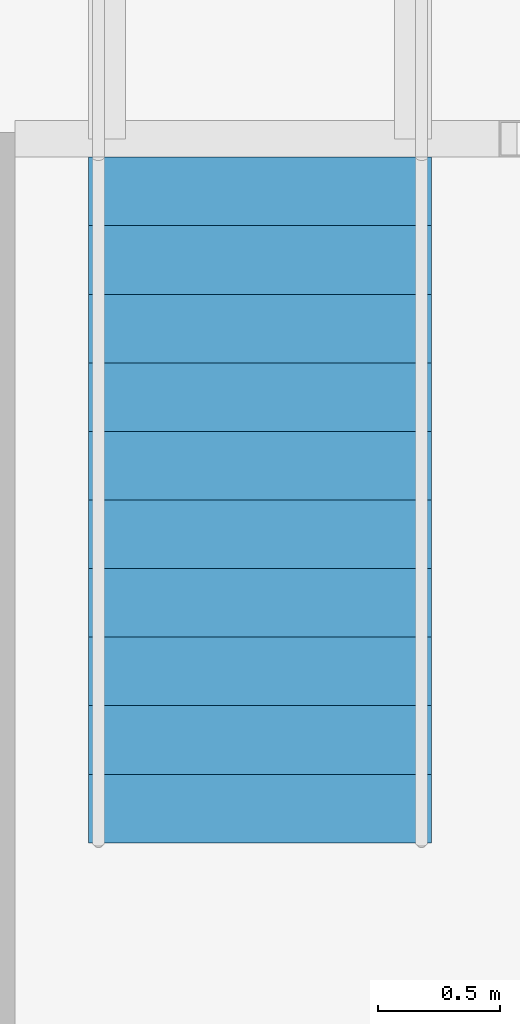
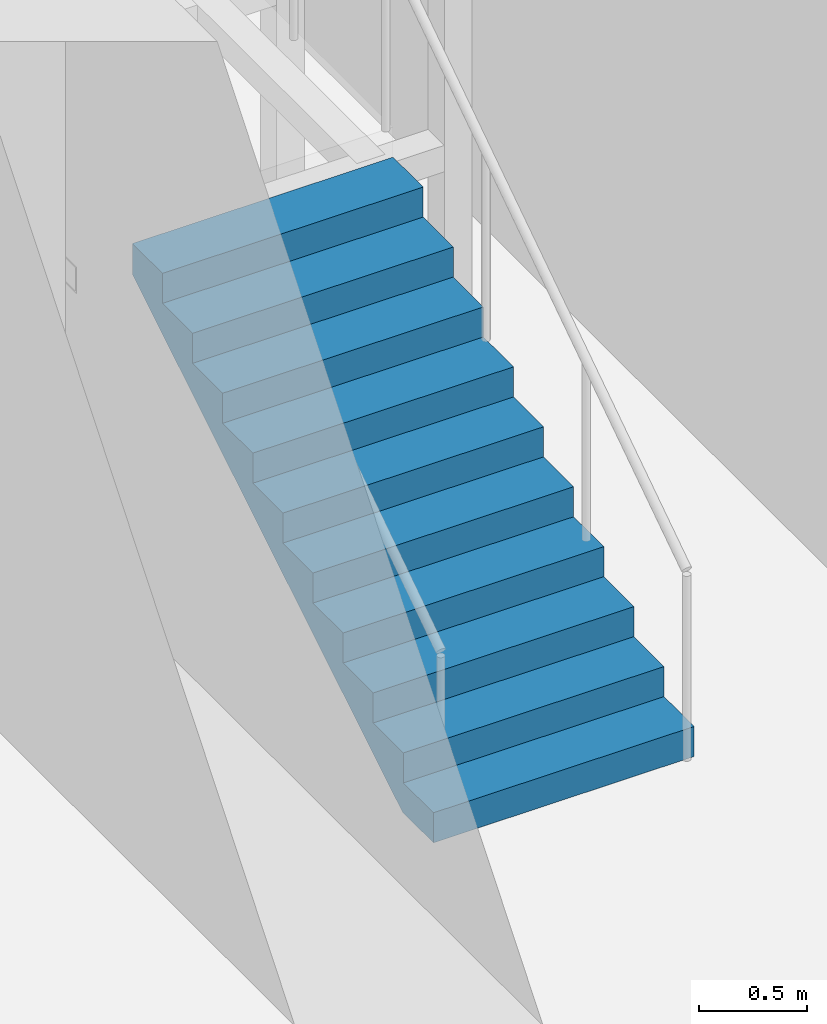
# One storey, part 25 of 29: 1 stair flight, 1 element without a shape of its own.
"""IFC4 building model written with IfcOpenShell, lengths in metres."""

from ifc_helpers import new_model, si_unit, direction, frame, origin, place, context, subcontext, project, spatial, triangles, material, type_object, element, aggregate, save


model = new_model("IFC4")

# Units and contexts
model_context = context("Model", 3, precision=1e-05, world=origin(), true_north=direction((0.0, 1.0)))
body_context = subcontext(model_context, "Body", "Model", "MODEL_VIEW")
ifc_project = project(units=[si_unit("LENGTHUNIT", "METRE"), si_unit("AREAUNIT", "SQUARE_METRE"), si_unit("VOLUMEUNIT", "CUBIC_METRE"), si_unit("PLANEANGLEUNIT", "RADIAN"), si_unit("MASSUNIT", "GRAM", prefix="KILO")], contexts=[model_context])

# Site, building, storey
site_placement = place(None, origin())
site = spatial("IfcSite", under=ifc_project, at=site_placement, CompositionType="ELEMENT")
building_placement = place(site_placement, origin())
building = spatial("IfcBuilding", under=site, at=building_placement, Name="Orbita Commons", CompositionType="ELEMENT")
storey_placement = place(building_placement, frame((0.0, 0.0, 163.60009765625)))
storey = spatial("IfcBuildingStorey", under=building, at=storey_placement, Name="L40", CompositionType="ELEMENT", Elevation=163.60009765625)

# Stair, stair flight
ifc_material_1 = material(Name="Steel ASTM A992 stringers, precast concrete C40/50 terrazzo treads", Category="concrete")
stair_type = type_object("IfcStairType", Name="Feature stair 22 risers 170 x 280 x 1400", PredefinedType="STRAIGHT_RUN_STAIR", material=ifc_material_1)
stair_placement = place(storey_placement, origin())
stair = element("IfcStair", 1, at=stair_placement, inside=storey, type_object=stair_type, Name="Neighbourhood stair L40 to L41", PredefinedType="STRAIGHT_RUN_STAIR")
ifc_material_2 = material(Name="Steel ASTM A992 stringers, precast concrete C40/50 terrazzo treads", Category="concrete")
stair_flight_type = type_object("IfcStairFlightType", Name="Feature stair flight 11 risers 170 x 1400", PredefinedType="STRAIGHT", material=ifc_material_2)
stair_flight_placement = place(storey_placement, frame((13.5, 37.800048828125, 0.0), z_axis=(0.0, 0.0, 1.0), x_axis=(0.0, 1.0, 0.0)))
stair_flight = element("IfcStairFlight", 2, at=stair_flight_placement, type_object=stair_flight_type, Name="FS flight 1", NumberOfRisers=11, NumberOfTreads=10, PredefinedType="STRAIGHT", RiserHeight=0.170454545, TreadLength=0.28, context=body_context, shape_type="Tessellation", body=[
    triangles([(0.0, 0.699951, 0.0), (0.0, 0.699951, 0.021307), (0.0, 0.583293, 0.021307), (0.0, 0.583293, 0.0), (0.0, 0.466634, 0.021307), (0.0, 0.466634, 0.0), (0.0, 0.349976, 0.021307), (0.0, 0.349976, 0.0), (0.0, 0.233317, 0.021307), (0.0, 0.233317, 0.0), (0.0, 0.116659, 0.021307), (0.0, 0.116659, 0.0), (0.0, 0.0, 0.021307), (0.0, 0.0, 0.0), (0.0, -0.116659, 0.021307), (0.0, -0.116659, 0.0), (0.0, -0.233317, 0.021307), (0.0, -0.233317, 0.0), (0.0, -0.349976, 0.021307), (0.0, -0.349976, 0.0), (0.0, -0.466634, 0.021307), (0.0, -0.466634, 0.0), (0.0, -0.583293, 0.021307), (0.0, -0.583293, 0.0), (0.0, -0.699951, 0.021307), (0.0, -0.699951, 0.0), (0.0, 0.699951, 0.042614), (0.0, 0.583293, 0.042614), (0.0, 0.466634, 0.042614), (0.0, 0.349976, 0.042614), (0.0, 0.233317, 0.042614), (0.0, 0.116659, 0.042614), (0.0, 0.0, 0.042614), (0.0, -0.116659, 0.042614), (0.0, -0.233317, 0.042614), (0.0, -0.349976, 0.042614), (0.0, -0.466634, 0.042614), (0.0, -0.583293, 0.042614), (0.0, -0.699951, 0.042614), (0.0, 0.699951, 0.06392), (0.0, 0.583293, 0.06392), (0.0, 0.466634, 0.06392), (0.0, 0.349976, 0.06392), (0.0, 0.233317, 0.06392), (0.0, 0.116659, 0.06392), (0.0, 0.0, 0.06392), (0.0, -0.116659, 0.06392), (0.0, -0.233317, 0.06392), (0.0, -0.349976, 0.06392), (0.0, -0.466634, 0.06392), (0.0, -0.583293, 0.06392), (0.0, -0.699951, 0.06392), (0.0, 0.699951, 0.085227), (0.0, 0.583293, 0.085227), (0.0, 0.466634, 0.085227), (0.0, 0.349976, 0.085227), (0.0, 0.233317, 0.085227), (0.0, 0.116659, 0.085227), (0.0, 0.0, 0.085227), (0.0, -0.116659, 0.085227), (0.0, -0.233317, 0.085227), (0.0, -0.349976, 0.085227), (0.0, -0.466634, 0.085227), (0.0, -0.583293, 0.085227), (0.0, -0.699951, 0.085227), (0.0, 0.699951, 0.106534), (0.0, 0.583293, 0.106534), (0.0, 0.466634, 0.106534), (0.0, 0.349976, 0.106534), (0.0, 0.233317, 0.106534), (0.0, 0.116659, 0.106534), (0.0, 0.0, 0.106534), (0.0, -0.116659, 0.106534), (0.0, -0.233317, 0.106534), (0.0, -0.349976, 0.106534), (0.0, -0.466634, 0.106534), (0.0, -0.583293, 0.106534), (0.0, -0.699951, 0.106534), (0.0, 0.699951, 0.127841), (0.0, 0.583293, 0.127841), (0.0, 0.466634, 0.127841), (0.0, 0.349976, 0.127841), (0.0, 0.233317, 0.127841), (0.0, 0.116659, 0.127841), (0.0, 0.0, 0.127841), (0.0, -0.116659, 0.127841), (0.0, -0.233317, 0.127841), (0.0, -0.349976, 0.127841), (0.0, -0.466634, 0.127841), (0.0, -0.583293, 0.127841), (0.0, -0.699951, 0.127841), (0.0, 0.699951, 0.149148), (0.0, 0.583293, 0.149148), (0.0, 0.466634, 0.149148), (0.0, 0.349976, 0.149148), (0.0, 0.233317, 0.149148), (0.0, 0.116659, 0.149148), (0.0, 0.0, 0.149148), (0.0, -0.116659, 0.149148), (0.0, -0.233317, 0.149148), (0.0, -0.349976, 0.149148), (0.0, -0.466634, 0.149148), (0.0, -0.583293, 0.149148), (0.0, -0.699951, 0.149148), (0.0, 0.699951, 0.170455), (0.0, 0.583293, 0.170455), (0.0, 0.466634, 0.170455), (0.0, 0.349976, 0.170455), (0.0, 0.233317, 0.170455), (0.0, 0.116659, 0.170455), (0.0, 0.0, 0.170455), (0.0, -0.116659, 0.170455), (0.0, -0.233317, 0.170455), (0.0, -0.349976, 0.170455), (0.0, -0.466634, 0.170455), (0.0, -0.583293, 0.170455), (0.0, -0.699951, 0.170455), (0.28, 0.699951, 0.170455), (0.28, 0.583293, 0.170455), (0.28, 0.466634, 0.170455), (0.28, 0.349976, 0.170455), (0.28, 0.233317, 0.170455), (0.28, 0.116659, 0.170455), (0.28, 0.0, 0.170455), (0.28, -0.116659, 0.170455), (0.28, -0.233317, 0.170455), (0.28, -0.349976, 0.170455), (0.28, -0.466634, 0.170455), (0.28, -0.583293, 0.170455), (0.28, -0.699951, 0.170455), (0.28, 0.699951, 0.340909), (0.28, 0.583293, 0.340909), (0.28, 0.466634, 0.340909), (0.28, 0.349976, 0.340909), (0.28, 0.233317, 0.340909), (0.28, 0.116659, 0.340909), (0.28, 0.0, 0.340909), (0.28, -0.116659, 0.340909), (0.28, -0.233317, 0.340909), (0.28, -0.349976, 0.340909), (0.28, -0.466634, 0.340909), (0.28, -0.583293, 0.340909), (0.28, -0.699951, 0.340909), (0.56, 0.699951, 0.340909), (0.56, 0.583293, 0.340909), (0.56, 0.466634, 0.340909), (0.56, 0.349976, 0.340909), (0.56, 0.233317, 0.340909), (0.56, 0.116659, 0.340909), (0.56, 0.0, 0.340909), (0.56, -0.116659, 0.340909), (0.56, -0.233317, 0.340909), (0.56, -0.349976, 0.340909), (0.56, -0.466634, 0.340909), (0.56, -0.583293, 0.340909), (0.56, -0.699951, 0.340909), (0.56, 0.699951, 0.511364), (0.56, 0.583293, 0.511364), (0.56, 0.466634, 0.511364), (0.56, 0.349976, 0.511364), (0.56, 0.233317, 0.511364), (0.56, 0.116659, 0.511364), (0.56, 0.0, 0.511364), (0.56, -0.116659, 0.511364), (0.56, -0.233317, 0.511364), (0.56, -0.349976, 0.511364), (0.56, -0.466634, 0.511364), (0.56, -0.583293, 0.511364), (0.56, -0.699951, 0.511364), (0.84, 0.699951, 0.511364), (0.84, 0.583293, 0.511364), (0.84, 0.466634, 0.511364), (0.84, 0.349976, 0.511364), (0.84, 0.233317, 0.511364), (0.84, 0.116659, 0.511364), (0.84, 0.0, 0.511364), (0.84, -0.116659, 0.511364), (0.84, -0.233317, 0.511364), (0.84, -0.349976, 0.511364), (0.84, -0.466634, 0.511364), (0.84, -0.583293, 0.511364), (0.84, -0.699951, 0.511364), (0.84, 0.699951, 0.681818), (0.84, 0.583293, 0.681818), (0.84, 0.466634, 0.681818), (0.84, 0.349976, 0.681818), (0.84, 0.233317, 0.681818), (0.84, 0.116659, 0.681818), (0.84, 0.0, 0.681818), (0.84, -0.116659, 0.681818), (0.84, -0.233317, 0.681818), (0.84, -0.349976, 0.681818), (0.84, -0.466634, 0.681818), (0.84, -0.583293, 0.681818), (0.84, -0.699951, 0.681818), (1.12, 0.699951, 0.681818), (1.12, 0.583293, 0.681818), (1.12, 0.466634, 0.681818), (1.12, 0.349976, 0.681818), (1.12, 0.233317, 0.681818), (1.12, 0.116659, 0.681818), (1.12, 0.0, 0.681818), (1.12, -0.116659, 0.681818), (1.12, -0.233317, 0.681818), (1.12, -0.349976, 0.681818), (1.12, -0.466634, 0.681818), (1.12, -0.583293, 0.681818), (1.12, -0.699951, 0.681818), (1.12, 0.699951, 0.852273), (1.12, 0.583293, 0.852273), (1.12, 0.466634, 0.852273), (1.12, 0.349976, 0.852273), (1.12, 0.233317, 0.852273), (1.12, 0.116659, 0.852273), (1.12, 0.0, 0.852273), (1.12, -0.116659, 0.852273), (1.12, -0.233317, 0.852273), (1.12, -0.349976, 0.852273), (1.12, -0.466634, 0.852273), (1.12, -0.583293, 0.852273), (1.12, -0.699951, 0.852273), (1.4, 0.699951, 0.852273), (1.4, 0.583293, 0.852273), (1.4, 0.466634, 0.852273), (1.4, 0.349976, 0.852273), (1.4, 0.233317, 0.852273), (1.4, 0.116659, 0.852273), (1.4, 0.0, 0.852273), (1.4, -0.116659, 0.852273), (1.4, -0.233317, 0.852273), (1.4, -0.349976, 0.852273), (1.4, -0.466634, 0.852273), (1.4, -0.583293, 0.852273), (1.4, -0.699951, 0.852273), (1.4, 0.699951, 1.022727), (1.4, 0.583293, 1.022727), (1.4, 0.466634, 1.022727), (1.4, 0.349976, 1.022727), (1.4, 0.233317, 1.022727), (1.4, 0.116659, 1.022727), (1.4, 0.0, 1.022727), (1.4, -0.116659, 1.022727), (1.4, -0.233317, 1.022727), (1.4, -0.349976, 1.022727), (1.4, -0.466634, 1.022727), (1.4, -0.583293, 1.022727), (1.4, -0.699951, 1.022727), (1.68, 0.699951, 1.022727), (1.68, 0.583293, 1.022727), (1.68, 0.466634, 1.022727), (1.68, 0.349976, 1.022727), (1.68, 0.233317, 1.022727), (1.68, 0.116659, 1.022727), (1.68, 0.0, 1.022727), (1.68, -0.116659, 1.022727), (1.68, -0.233317, 1.022727), (1.68, -0.349976, 1.022727), (1.68, -0.466634, 1.022727), (1.68, -0.583293, 1.022727), (1.68, -0.699951, 1.022727), (1.68, 0.699951, 1.193182), (1.68, 0.583293, 1.193182), (1.68, 0.466634, 1.193182), (1.68, 0.349976, 1.193182), (1.68, 0.233317, 1.193182), (1.68, 0.116659, 1.193182), (1.68, 0.0, 1.193182), (1.68, -0.116659, 1.193182), (1.68, -0.233317, 1.193182), (1.68, -0.349976, 1.193182), (1.68, -0.466634, 1.193182), (1.68, -0.583293, 1.193182), (1.68, -0.699951, 1.193182), (1.96, 0.699951, 1.193182), (1.96, 0.583293, 1.193182), (1.96, 0.466634, 1.193182), (1.96, 0.349976, 1.193182), (1.96, 0.233317, 1.193182), (1.96, 0.116659, 1.193182), (1.96, 0.0, 1.193182), (1.96, -0.116659, 1.193182), (1.96, -0.233317, 1.193182), (1.96, -0.349976, 1.193182), (1.96, -0.466634, 1.193182), (1.96, -0.583293, 1.193182), (1.96, -0.699951, 1.193182), (1.96, 0.699951, 1.363636), (1.96, 0.583293, 1.363636), (1.96, 0.466634, 1.363636), (1.96, 0.349976, 1.363636), (1.96, 0.233317, 1.363636), (1.96, 0.116659, 1.363636), (1.96, 0.0, 1.363636), (1.96, -0.116659, 1.363636), (1.96, -0.233317, 1.363636), (1.96, -0.349976, 1.363636), (1.96, -0.466634, 1.363636), (1.96, -0.583293, 1.363636), (1.96, -0.699951, 1.363636), (2.24, 0.699951, 1.363636), (2.24, 0.583293, 1.363636), (2.24, 0.466634, 1.363636), (2.24, 0.349976, 1.363636), (2.24, 0.233317, 1.363636), (2.24, 0.116659, 1.363636), (2.24, 0.0, 1.363636), (2.24, -0.116659, 1.363636), (2.24, -0.233317, 1.363636), (2.24, -0.349976, 1.363636), (2.24, -0.466634, 1.363636), (2.24, -0.583293, 1.363636), (2.24, -0.699951, 1.363636), (2.24, 0.699951, 1.534091), (2.24, 0.583293, 1.534091), (2.24, 0.466634, 1.534091), (2.24, 0.349976, 1.534091), (2.24, 0.233317, 1.534091), (2.24, 0.116659, 1.534091), (2.24, 0.0, 1.534091), (2.24, -0.116659, 1.534091), (2.24, -0.233317, 1.534091), (2.24, -0.349976, 1.534091), (2.24, -0.466634, 1.534091), (2.24, -0.583293, 1.534091), (2.24, -0.699951, 1.534091), (2.52, 0.699951, 1.534091), (2.52, 0.583293, 1.534091), (2.52, 0.466634, 1.534091), (2.52, 0.349976, 1.534091), (2.52, 0.233317, 1.534091), (2.52, 0.116659, 1.534091), (2.52, 0.0, 1.534091), (2.52, -0.116659, 1.534091), (2.52, -0.233317, 1.534091), (2.52, -0.349976, 1.534091), (2.52, -0.466634, 1.534091), (2.52, -0.583293, 1.534091), (2.52, -0.699951, 1.534091), (2.52, 0.699951, 1.704545), (2.52, 0.583293, 1.704545), (2.52, 0.466634, 1.704545), (2.52, 0.349976, 1.704545), (2.52, 0.233317, 1.704545), (2.52, 0.116659, 1.704545), (2.52, 0.0, 1.704545), (2.52, -0.116659, 1.704545), (2.52, -0.233317, 1.704545), (2.52, -0.349976, 1.704545), (2.52, -0.466634, 1.704545), (2.52, -0.583293, 1.704545), (2.52, -0.699951, 1.704545), (2.8, 0.699951, 1.704545), (2.8, 0.583293, 1.704545), (2.8, 0.466634, 1.704545), (2.8, 0.349976, 1.704545), (2.8, 0.233317, 1.704545), (2.8, 0.116659, 1.704545), (2.8, 0.0, 1.704545), (2.8, -0.116659, 1.704545), (2.8, -0.233317, 1.704545), (2.8, -0.349976, 1.704545), (2.8, -0.466634, 1.704545), (2.8, -0.583293, 1.704545), (2.8, -0.699951, 1.704545), (2.8, 0.699951, 1.682609), (2.8, 0.583293, 1.682609), (2.8, 0.466634, 1.682609), (2.8, 0.349976, 1.682609), (2.8, 0.233317, 1.682609), (2.8, 0.116659, 1.682609), (2.8, 0.0, 1.682609), (2.8, -0.116659, 1.682609), (2.8, -0.233317, 1.682609), (2.8, -0.349976, 1.682609), (2.8, -0.466634, 1.682609), (2.8, -0.583293, 1.682609), (2.8, -0.699951, 1.682609), (2.8, 0.699951, 1.660672), (2.8, 0.583293, 1.660672), (2.8, 0.466634, 1.660672), (2.8, 0.349976, 1.660672), (2.8, 0.233317, 1.660672), (2.8, 0.116659, 1.660672), (2.8, 0.0, 1.660672), (2.8, -0.116659, 1.660672), (2.8, -0.233317, 1.660672), (2.8, -0.349976, 1.660672), (2.8, -0.466634, 1.660672), (2.8, -0.583293, 1.660672), (2.8, -0.699951, 1.660672), (2.8, 0.699951, 1.638735), (2.8, 0.583293, 1.638735), (2.8, 0.466634, 1.638735), (2.8, 0.349976, 1.638735), (2.8, 0.233317, 1.638735), (2.8, 0.116659, 1.638735), (2.8, 0.0, 1.638735), (2.8, -0.116659, 1.638735), (2.8, -0.233317, 1.638735), (2.8, -0.349976, 1.638735), (2.8, -0.466634, 1.638735), (2.8, -0.583293, 1.638735), (2.8, -0.699951, 1.638735), (2.8, 0.699951, 1.616798), (2.8, 0.583293, 1.616798), (2.8, 0.466634, 1.616798), (2.8, 0.349976, 1.616798), (2.8, 0.233317, 1.616798), (2.8, 0.116659, 1.616798), (2.8, 0.0, 1.616798), (2.8, -0.116659, 1.616798), (2.8, -0.233317, 1.616798), (2.8, -0.349976, 1.616798), (2.8, -0.466634, 1.616798), (2.8, -0.583293, 1.616798), (2.8, -0.699951, 1.616798), (2.8, 0.699951, 1.594861), (2.8, 0.583293, 1.594861), (2.8, 0.466634, 1.594861), (2.8, 0.349976, 1.594861), (2.8, 0.233317, 1.594861), (2.8, 0.116659, 1.594861), (2.8, 0.0, 1.594861), (2.8, -0.116659, 1.594861), (2.8, -0.233317, 1.594861), (2.8, -0.349976, 1.594861), (2.8, -0.466634, 1.594861), (2.8, -0.583293, 1.594861), (2.8, -0.699951, 1.594861), (2.8, 0.699951, 1.572925), (2.8, 0.583293, 1.572925), (2.8, 0.466634, 1.572925), (2.8, 0.349976, 1.572925), (2.8, 0.233317, 1.572925), (2.8, 0.116659, 1.572925), (2.8, 0.0, 1.572925), (2.8, -0.116659, 1.572925), (2.8, -0.233317, 1.572925), (2.8, -0.349976, 1.572925), (2.8, -0.466634, 1.572925), (2.8, -0.583293, 1.572925), (2.8, -0.699951, 1.572925), (2.8, 0.699951, 1.550988), (2.8, 0.583293, 1.550988), (2.8, 0.466634, 1.550988), (2.8, 0.349976, 1.550988), (2.8, 0.233317, 1.550988), (2.8, 0.116659, 1.550988), (2.8, 0.0, 1.550988), (2.8, -0.116659, 1.550988), (2.8, -0.233317, 1.550988), (2.8, -0.349976, 1.550988), (2.8, -0.466634, 1.550988), (2.8, -0.583293, 1.550988), (2.8, -0.699951, 1.550988), (2.8, 0.699951, 1.529051), (2.8, 0.583293, 1.529051), (2.8, 0.466634, 1.529051), (2.8, 0.349976, 1.529051), (2.8, 0.233317, 1.529051), (2.8, 0.116659, 1.529051), (2.8, 0.0, 1.529051), (2.8, -0.116659, 1.529051), (2.8, -0.233317, 1.529051), (2.8, -0.349976, 1.529051), (2.8, -0.466634, 1.529051), (2.8, -0.583293, 1.529051), (2.8, -0.699951, 1.529051), (0.288279, 0.699951, 0.0), (0.288279, 0.583293, 0.0), (0.288279, 0.466634, 0.0), (0.288279, 0.349976, 0.0), (0.288279, 0.233317, 0.0), (0.288279, 0.116659, 0.0), (0.288279, 0.0, 0.0), (0.288279, -0.116659, 0.0), (0.288279, -0.233317, 0.0), (0.288279, -0.349976, 0.0), (0.288279, -0.466634, 0.0), (0.288279, -0.583293, 0.0), (0.288279, -0.699951, 0.0)], [[3, 2, 1], [4, 3, 1], [5, 3, 4], [6, 5, 4], [7, 5, 6], [8, 7, 6], [9, 7, 8], [10, 9, 8], [11, 9, 10], [12, 11, 10], [13, 11, 12], [14, 13, 12], [15, 13, 14], [16, 15, 14], [17, 15, 16], [18, 17, 16], [19, 17, 18], [20, 19, 18], [21, 19, 20], [22, 21, 20], [23, 21, 22], [24, 23, 22], [25, 23, 24], [26, 25, 24], [28, 27, 2], [3, 28, 2], [29, 28, 3], [5, 29, 3], [30, 29, 5], [7, 30, 5], [31, 30, 7], [9, 31, 7], [32, 31, 9], [11, 32, 9], [33, 32, 11], [13, 33, 11], [34, 33, 13], [15, 34, 13], [35, 34, 15], [17, 35, 15], [36, 35, 17], [19, 36, 17], [37, 36, 19], [21, 37, 19], [38, 37, 21], [23, 38, 21], [39, 38, 23], [25, 39, 23], [41, 40, 27], [28, 41, 27], [42, 41, 28], [29, 42, 28], [43, 42, 29], [30, 43, 29], [44, 43, 30], [31, 44, 30], [45, 44, 31], [32, 45, 31], [46, 45, 32], [33, 46, 32], [47, 46, 33], [34, 47, 33], [48, 47, 34], [35, 48, 34], [49, 48, 35], [36, 49, 35], [50, 49, 36], [37, 50, 36], [51, 50, 37], [38, 51, 37], [52, 51, 38], [39, 52, 38], [54, 53, 40], [41, 54, 40], [55, 54, 41], [42, 55, 41], [56, 55, 42], [43, 56, 42], [57, 56, 43], [44, 57, 43], [58, 57, 44], [45, 58, 44], [59, 58, 45], [46, 59, 45], [60, 59, 46], [47, 60, 46], [61, 60, 47], [48, 61, 47], [62, 61, 48], [49, 62, 48], [63, 62, 49], [50, 63, 49], [64, 63, 50], [51, 64, 50], [65, 64, 51], [52, 65, 51], [67, 66, 53], [54, 67, 53], [68, 67, 54], [55, 68, 54], [69, 68, 55], [56, 69, 55], [70, 69, 56], [57, 70, 56], [71, 70, 57], [58, 71, 57], [72, 71, 58], [59, 72, 58], [73, 72, 59], [60, 73, 59], [74, 73, 60], [61, 74, 60], [75, 74, 61], [62, 75, 61], [76, 75, 62], [63, 76, 62], [77, 76, 63], [64, 77, 63], [78, 77, 64], [65, 78, 64], [80, 79, 66], [67, 80, 66], [81, 80, 67], [68, 81, 67], [82, 81, 68], [69, 82, 68], [83, 82, 69], [70, 83, 69], [84, 83, 70], [71, 84, 70], [85, 84, 71], [72, 85, 71], [86, 85, 72], [73, 86, 72], [87, 86, 73], [74, 87, 73], [88, 87, 74], [75, 88, 74], [89, 88, 75], [76, 89, 75], [90, 89, 76], [77, 90, 76], [91, 90, 77], [78, 91, 77], [93, 92, 79], [80, 93, 79], [94, 93, 80], [81, 94, 80], [95, 94, 81], [82, 95, 81], [96, 95, 82], [83, 96, 82], [97, 96, 83], [84, 97, 83], [98, 97, 84], [85, 98, 84], [99, 98, 85], [86, 99, 85], [100, 99, 86], [87, 100, 86], [101, 100, 87], [88, 101, 87], [102, 101, 88], [89, 102, 88], [103, 102, 89], [90, 103, 89], [104, 103, 90], [91, 104, 90], [106, 105, 92], [93, 106, 92], [107, 106, 93], [94, 107, 93], [108, 107, 94], [95, 108, 94], [109, 108, 95], [96, 109, 95], [110, 109, 96], [97, 110, 96], [111, 110, 97], [98, 111, 97], [112, 111, 98], [99, 112, 98], [113, 112, 99], [100, 113, 99], [114, 113, 100], [101, 114, 100], [115, 114, 101], [102, 115, 101], [116, 115, 102], [103, 116, 102], [117, 116, 103], [104, 117, 103], [119, 118, 105], [106, 119, 105], [120, 119, 106], [107, 120, 106], [121, 120, 107], [108, 121, 107], [122, 121, 108], [109, 122, 108], [123, 122, 109], [110, 123, 109], [124, 123, 110], [111, 124, 110], [125, 124, 111], [112, 125, 111], [126, 125, 112], [113, 126, 112], [127, 126, 113], [114, 127, 113], [128, 127, 114], [115, 128, 114], [129, 128, 115], [116, 129, 115], [130, 129, 116], [117, 130, 116], [132, 131, 118], [119, 132, 118], [133, 132, 119], [120, 133, 119], [134, 133, 120], [121, 134, 120], [135, 134, 121], [122, 135, 121], [136, 135, 122], [123, 136, 122], [137, 136, 123], [124, 137, 123], [138, 137, 124], [125, 138, 124], [139, 138, 125], [126, 139, 125], [140, 139, 126], [127, 140, 126], [141, 140, 127], [128, 141, 127], [142, 141, 128], [129, 142, 128], [143, 142, 129], [130, 143, 129], [145, 144, 131], [132, 145, 131], [146, 145, 132], [133, 146, 132], [147, 146, 133], [134, 147, 133], [148, 147, 134], [135, 148, 134], [149, 148, 135], [136, 149, 135], [150, 149, 136], [137, 150, 136], [151, 150, 137], [138, 151, 137], [152, 151, 138], [139, 152, 138], [153, 152, 139], [140, 153, 139], [154, 153, 140], [141, 154, 140], [155, 154, 141], [142, 155, 141], [156, 155, 142], [143, 156, 142], [158, 157, 144], [145, 158, 144], [159, 158, 145], [146, 159, 145], [160, 159, 146], [147, 160, 146], [161, 160, 147], [148, 161, 147], [162, 161, 148], [149, 162, 148], [163, 162, 149], [150, 163, 149], [164, 163, 150], [151, 164, 150], [165, 164, 151], [152, 165, 151], [166, 165, 152], [153, 166, 152], [167, 166, 153], [154, 167, 153], [168, 167, 154], [155, 168, 154], [169, 168, 155], [156, 169, 155], [171, 170, 157], [158, 171, 157], [172, 171, 158], [159, 172, 158], [173, 172, 159], [160, 173, 159], [174, 173, 160], [161, 174, 160], [175, 174, 161], [162, 175, 161], [176, 175, 162], [163, 176, 162], [177, 176, 163], [164, 177, 163], [178, 177, 164], [165, 178, 164], [179, 178, 165], [166, 179, 165], [180, 179, 166], [167, 180, 166], [181, 180, 167], [168, 181, 167], [182, 181, 168], [169, 182, 168], [184, 183, 170], [171, 184, 170], [185, 184, 171], [172, 185, 171], [186, 185, 172], [173, 186, 172], [187, 186, 173], [174, 187, 173], [188, 187, 174], [175, 188, 174], [189, 188, 175], [176, 189, 175], [190, 189, 176], [177, 190, 176], [191, 190, 177], [178, 191, 177], [192, 191, 178], [179, 192, 178], [193, 192, 179], [180, 193, 179], [194, 193, 180], [181, 194, 180], [195, 194, 181], [182, 195, 181], [197, 196, 183], [184, 197, 183], [198, 197, 184], [185, 198, 184], [199, 198, 185], [186, 199, 185], [200, 199, 186], [187, 200, 186], [201, 200, 187], [188, 201, 187], [202, 201, 188], [189, 202, 188], [203, 202, 189], [190, 203, 189], [204, 203, 190], [191, 204, 190], [205, 204, 191], [192, 205, 191], [206, 205, 192], [193, 206, 192], [207, 206, 193], [194, 207, 193], [208, 207, 194], [195, 208, 194], [210, 209, 196], [197, 210, 196], [211, 210, 197], [198, 211, 197], [212, 211, 198], [199, 212, 198], [213, 212, 199], [200, 213, 199], [214, 213, 200], [201, 214, 200], [215, 214, 201], [202, 215, 201], [216, 215, 202], [203, 216, 202], [217, 216, 203], [204, 217, 203], [218, 217, 204], [205, 218, 204], [219, 218, 205], [206, 219, 205], [220, 219, 206], [207, 220, 206], [221, 220, 207], [208, 221, 207], [223, 222, 209], [210, 223, 209], [224, 223, 210], [211, 224, 210], [225, 224, 211], [212, 225, 211], [226, 225, 212], [213, 226, 212], [227, 226, 213], [214, 227, 213], [228, 227, 214], [215, 228, 214], [229, 228, 215], [216, 229, 215], [230, 229, 216], [217, 230, 216], [231, 230, 217], [218, 231, 217], [232, 231, 218], [219, 232, 218], [233, 232, 219], [220, 233, 219], [234, 233, 220], [221, 234, 220], [236, 235, 222], [223, 236, 222], [237, 236, 223], [224, 237, 223], [238, 237, 224], [225, 238, 224], [239, 238, 225], [226, 239, 225], [240, 239, 226], [227, 240, 226], [241, 240, 227], [228, 241, 227], [242, 241, 228], [229, 242, 228], [243, 242, 229], [230, 243, 229], [244, 243, 230], [231, 244, 230], [245, 244, 231], [232, 245, 231], [246, 245, 232], [233, 246, 232], [247, 246, 233], [234, 247, 233], [249, 248, 235], [236, 249, 235], [250, 249, 236], [237, 250, 236], [251, 250, 237], [238, 251, 237], [252, 251, 238], [239, 252, 238], [253, 252, 239], [240, 253, 239], [254, 253, 240], [241, 254, 240], [255, 254, 241], [242, 255, 241], [256, 255, 242], [243, 256, 242], [257, 256, 243], [244, 257, 243], [258, 257, 244], [245, 258, 244], [259, 258, 245], [246, 259, 245], [260, 259, 246], [247, 260, 246], [262, 261, 248], [249, 262, 248], [263, 262, 249], [250, 263, 249], [264, 263, 250], [251, 264, 250], [265, 264, 251], [252, 265, 251], [266, 265, 252], [253, 266, 252], [267, 266, 253], [254, 267, 253], [268, 267, 254], [255, 268, 254], [269, 268, 255], [256, 269, 255], [270, 269, 256], [257, 270, 256], [271, 270, 257], [258, 271, 257], [272, 271, 258], [259, 272, 258], [273, 272, 259], [260, 273, 259], [275, 274, 261], [262, 275, 261], [276, 275, 262], [263, 276, 262], [277, 276, 263], [264, 277, 263], [278, 277, 264], [265, 278, 264], [279, 278, 265], [266, 279, 265], [280, 279, 266], [267, 280, 266], [281, 280, 267], [268, 281, 267], [282, 281, 268], [269, 282, 268], [283, 282, 269], [270, 283, 269], [284, 283, 270], [271, 284, 270], [285, 284, 271], [272, 285, 271], [286, 285, 272], [273, 286, 272], [288, 287, 274], [275, 288, 274], [289, 288, 275], [276, 289, 275], [290, 289, 276], [277, 290, 276], [291, 290, 277], [278, 291, 277], [292, 291, 278], [279, 292, 278], [293, 292, 279], [280, 293, 279], [294, 293, 280], [281, 294, 280], [295, 294, 281], [282, 295, 281], [296, 295, 282], [283, 296, 282], [297, 296, 283], [284, 297, 283], [298, 297, 284], [285, 298, 284], [299, 298, 285], [286, 299, 285], [301, 300, 287], [288, 301, 287], [302, 301, 288], [289, 302, 288], [303, 302, 289], [290, 303, 289], [304, 303, 290], [291, 304, 290], [305, 304, 291], [292, 305, 291], [306, 305, 292], [293, 306, 292], [307, 306, 293], [294, 307, 293], [308, 307, 294], [295, 308, 294], [309, 308, 295], [296, 309, 295], [310, 309, 296], [297, 310, 296], [311, 310, 297], [298, 311, 297], [312, 311, 298], [299, 312, 298], [314, 313, 300], [301, 314, 300], [315, 314, 301], [302, 315, 301], [316, 315, 302], [303, 316, 302], [317, 316, 303], [304, 317, 303], [318, 317, 304], [305, 318, 304], [319, 318, 305], [306, 319, 305], [320, 319, 306], [307, 320, 306], [321, 320, 307], [308, 321, 307], [322, 321, 308], [309, 322, 308], [323, 322, 309], [310, 323, 309], [324, 323, 310], [311, 324, 310], [325, 324, 311], [312, 325, 311], [327, 326, 313], [314, 327, 313], [328, 327, 314], [315, 328, 314], [329, 328, 315], [316, 329, 315], [330, 329, 316], [317, 330, 316], [331, 330, 317], [318, 331, 317], [332, 331, 318], [319, 332, 318], [333, 332, 319], [320, 333, 319], [334, 333, 320], [321, 334, 320], [335, 334, 321], [322, 335, 321], [336, 335, 322], [323, 336, 322], [337, 336, 323], [324, 337, 323], [338, 337, 324], [325, 338, 324], [340, 339, 326], [327, 340, 326], [341, 340, 327], [328, 341, 327], [342, 341, 328], [329, 342, 328], [343, 342, 329], [330, 343, 329], [344, 343, 330], [331, 344, 330], [345, 344, 331], [332, 345, 331], [346, 345, 332], [333, 346, 332], [347, 346, 333], [334, 347, 333], [348, 347, 334], [335, 348, 334], [349, 348, 335], [336, 349, 335], [350, 349, 336], [337, 350, 336], [351, 350, 337], [338, 351, 337], [353, 352, 339], [340, 353, 339], [354, 353, 340], [341, 354, 340], [355, 354, 341], [342, 355, 341], [356, 355, 342], [343, 356, 342], [357, 356, 343], [344, 357, 343], [358, 357, 344], [345, 358, 344], [359, 358, 345], [346, 359, 345], [360, 359, 346], [347, 360, 346], [361, 360, 347], [348, 361, 347], [362, 361, 348], [349, 362, 348], [363, 362, 349], [350, 363, 349], [364, 363, 350], [351, 364, 350], [366, 365, 352], [353, 366, 352], [367, 366, 353], [354, 367, 353], [368, 367, 354], [355, 368, 354], [369, 368, 355], [356, 369, 355], [370, 369, 356], [357, 370, 356], [371, 370, 357], [358, 371, 357], [372, 371, 358], [359, 372, 358], [373, 372, 359], [360, 373, 359], [374, 373, 360], [361, 374, 360], [375, 374, 361], [362, 375, 361], [376, 375, 362], [363, 376, 362], [377, 376, 363], [364, 377, 363], [379, 378, 365], [366, 379, 365], [380, 379, 366], [367, 380, 366], [381, 380, 367], [368, 381, 367], [382, 381, 368], [369, 382, 368], [383, 382, 369], [370, 383, 369], [384, 383, 370], [371, 384, 370], [385, 384, 371], [372, 385, 371], [386, 385, 372], [373, 386, 372], [387, 386, 373], [374, 387, 373], [388, 387, 374], [375, 388, 374], [389, 388, 375], [376, 389, 375], [390, 389, 376], [377, 390, 376], [392, 391, 378], [379, 392, 378], [393, 392, 379], [380, 393, 379], [394, 393, 380], [381, 394, 380], [395, 394, 381], [382, 395, 381], [396, 395, 382], [383, 396, 382], [397, 396, 383], [384, 397, 383], [398, 397, 384], [385, 398, 384], [399, 398, 385], [386, 399, 385], [400, 399, 386], [387, 400, 386], [401, 400, 387], [388, 401, 387], [402, 401, 388], [389, 402, 388], [403, 402, 389], [390, 403, 389], [405, 404, 391], [392, 405, 391], [406, 405, 392], [393, 406, 392], [407, 406, 393], [394, 407, 393], [408, 407, 394], [395, 408, 394], [409, 408, 395], [396, 409, 395], [410, 409, 396], [397, 410, 396], [411, 410, 397], [398, 411, 397], [412, 411, 398], [399, 412, 398], [413, 412, 399], [400, 413, 399], [414, 413, 400], [401, 414, 400], [415, 414, 401], [402, 415, 401], [416, 415, 402], [403, 416, 402], [418, 417, 404], [405, 418, 404], [419, 418, 405], [406, 419, 405], [420, 419, 406], [407, 420, 406], [421, 420, 407], [408, 421, 407], [422, 421, 408], [409, 422, 408], [423, 422, 409], [410, 423, 409], [424, 423, 410], [411, 424, 410], [425, 424, 411], [412, 425, 411], [426, 425, 412], [413, 426, 412], [427, 426, 413], [414, 427, 413], [428, 427, 414], [415, 428, 414], [429, 428, 415], [416, 429, 415], [431, 430, 417], [418, 431, 417], [432, 431, 418], [419, 432, 418], [433, 432, 419], [420, 433, 419], [434, 433, 420], [421, 434, 420], [435, 434, 421], [422, 435, 421], [436, 435, 422], [423, 436, 422], [437, 436, 423], [424, 437, 423], [438, 437, 424], [425, 438, 424], [439, 438, 425], [426, 439, 425], [440, 439, 426], [427, 440, 426], [441, 440, 427], [428, 441, 427], [442, 441, 428], [429, 442, 428], [444, 443, 430], [431, 444, 430], [445, 444, 431], [432, 445, 431], [446, 445, 432], [433, 446, 432], [447, 446, 433], [434, 447, 433], [448, 447, 434], [435, 448, 434], [449, 448, 435], [436, 449, 435], [450, 449, 436], [437, 450, 436], [451, 450, 437], [438, 451, 437], [452, 451, 438], [439, 452, 438], [453, 452, 439], [440, 453, 439], [454, 453, 440], [441, 454, 440], [455, 454, 441], [442, 455, 441], [457, 456, 443], [444, 457, 443], [458, 457, 444], [445, 458, 444], [459, 458, 445], [446, 459, 445], [460, 459, 446], [447, 460, 446], [461, 460, 447], [448, 461, 447], [462, 461, 448], [449, 462, 448], [463, 462, 449], [450, 463, 449], [464, 463, 450], [451, 464, 450], [465, 464, 451], [452, 465, 451], [466, 465, 452], [453, 466, 452], [467, 466, 453], [454, 467, 453], [468, 467, 454], [455, 468, 454], [470, 469, 456], [457, 470, 456], [471, 470, 457], [458, 471, 457], [472, 471, 458], [459, 472, 458], [473, 472, 459], [460, 473, 459], [474, 473, 460], [461, 474, 460], [475, 474, 461], [462, 475, 461], [476, 475, 462], [463, 476, 462], [477, 476, 463], [464, 477, 463], [478, 477, 464], [465, 478, 464], [479, 478, 465], [466, 479, 465], [480, 479, 466], [467, 480, 466], [481, 480, 467], [468, 481, 467], [4, 1, 469], [470, 4, 469], [6, 4, 470], [471, 6, 470], [8, 6, 471], [472, 8, 471], [10, 8, 472], [473, 10, 472], [12, 10, 473], [474, 12, 473], [14, 12, 474], [475, 14, 474], [16, 14, 475], [476, 16, 475], [18, 16, 476], [477, 18, 476], [20, 18, 477], [478, 20, 477], [22, 20, 478], [479, 22, 478], [24, 22, 479], [480, 24, 479], [26, 24, 480], [481, 26, 480], [456, 469, 1], [26, 481, 468], [443, 456, 1], [26, 468, 455], [430, 443, 1], [26, 455, 442], [417, 430, 1], [26, 442, 429], [404, 417, 1], [26, 429, 416], [391, 404, 1], [26, 416, 403], [378, 391, 1], [26, 403, 390], [365, 378, 1], [26, 390, 377], [339, 352, 365], [377, 364, 351], [326, 339, 365], [377, 351, 338], [300, 313, 326], [338, 325, 312], [300, 326, 365], [377, 338, 312], [274, 287, 300], [312, 299, 286], [274, 300, 365], [377, 312, 286], [248, 261, 274], [286, 273, 260], [248, 274, 365], [377, 286, 260], [222, 235, 248], [260, 247, 234], [222, 248, 365], [377, 260, 234], [196, 209, 222], [234, 221, 208], [196, 222, 365], [377, 234, 208], [170, 183, 196], [208, 195, 182], [170, 196, 365], [377, 208, 182], [144, 157, 170], [182, 169, 156], [144, 170, 365], [377, 182, 156], [118, 131, 144], [156, 143, 130], [118, 144, 365], [377, 156, 130], [118, 365, 1], [26, 377, 130], [92, 105, 118], [130, 117, 104], [79, 92, 118], [130, 104, 91], [66, 79, 118], [130, 91, 78], [53, 66, 118], [130, 78, 65], [40, 53, 118], [130, 65, 52], [27, 40, 118], [130, 52, 39], [2, 27, 118], [130, 39, 25], [1, 2, 118], [130, 25, 26]], closed=True),
])
aggregate(stair, [stair_flight])

save(model, "model.ifc")
